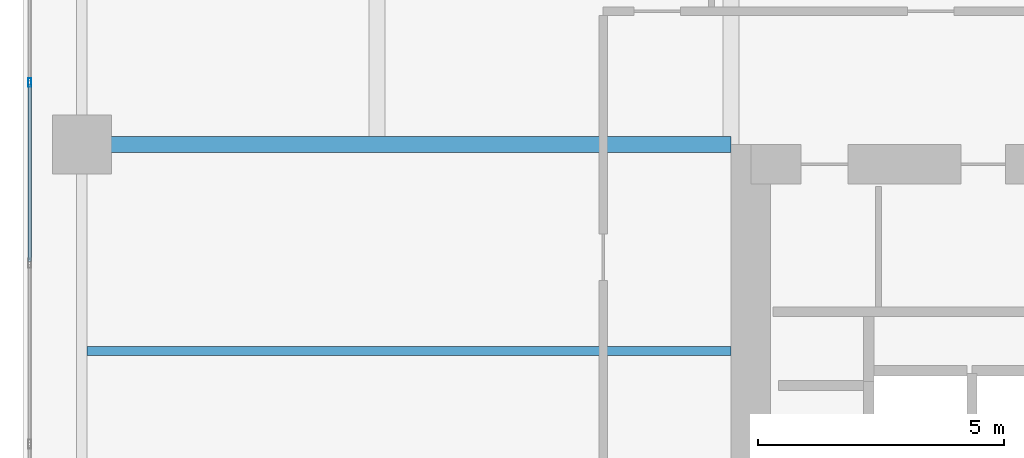
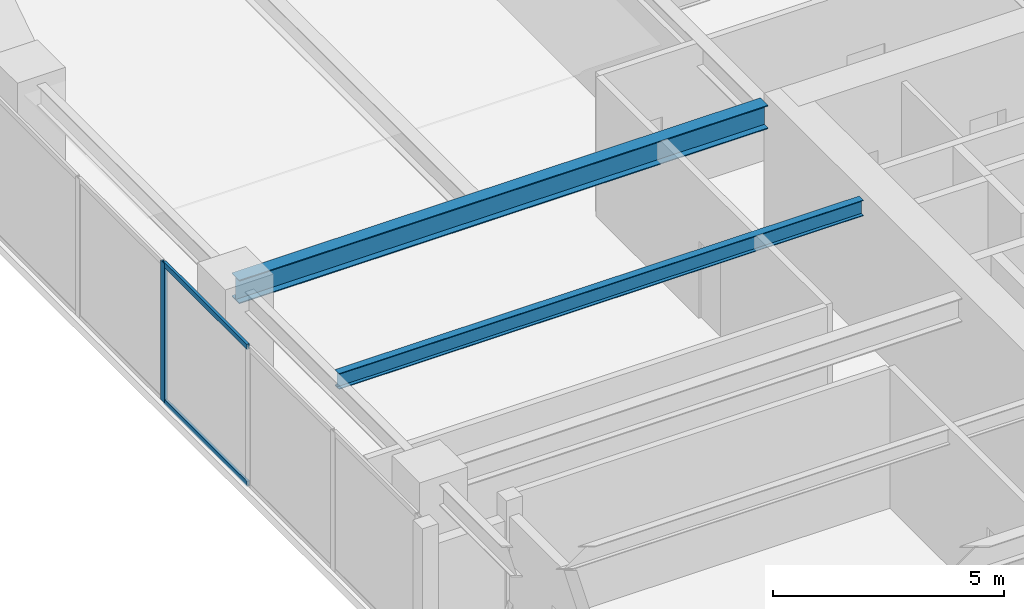
# One storey, part 6 of 30: 3 members, 2 beams, 1 element without a shape of its own.
"""IFC4 building model written with IfcOpenShell, lengths in metres."""

from ifc_helpers import new_model, si_unit, direction, frame, origin, origin_2d, place, context, subcontext, project, spatial, hollow_rectangle, i_section, extrude, material, layer, layer_set, material_profile, profile_set, type_object, element, aggregate, save


model = new_model("IFC4")

# Units and contexts
model_context = context("Model", 3, precision=1e-05, world=origin(), true_north=direction((0.0, 1.0)))
body_context = subcontext(model_context, "Body", "Model", "MODEL_VIEW")
ifc_project = project(units=[si_unit("LENGTHUNIT", "METRE"), si_unit("AREAUNIT", "SQUARE_METRE"), si_unit("VOLUMEUNIT", "CUBIC_METRE"), si_unit("PLANEANGLEUNIT", "RADIAN"), si_unit("MASSUNIT", "GRAM", prefix="KILO")], contexts=[model_context])

# Site, building, storey
site_placement = place(None, origin())
site = spatial("IfcSite", under=ifc_project, at=site_placement, CompositionType="ELEMENT")
building_placement = place(site_placement, origin())
building = spatial("IfcBuilding", under=site, at=building_placement, Name="Kiyonajd Concourse Tower", CompositionType="ELEMENT")
storey_placement = place(building_placement, frame((0.0, 0.0, 166.199951171875)))
storey = spatial("IfcBuildingStorey", under=building, at=storey_placement, Name="L42", CompositionType="ELEMENT", Elevation=166.199951171875)

# Beams
ifc_material_1 = material(Name="Steel ASTM A992 Grade 50", Category="steel")
ifc_material_profile_1 = material_profile(ifc_material_1, i_section(OverallWidth=0.180908203125, OverallDepth=0.4169921875, WebThickness=0.010986328125, FlangeThickness=0.018310546875, at=origin_2d()), Name="W410X85")
ifc_profile_set_1 = profile_set([ifc_material_profile_1], Name="Steel ASTM A992 Grade 50")
beam_type_1 = type_object("IfcBeamType", Name="BM-JST-410", PredefinedType="JOIST", material=ifc_profile_set_1)
beam_1_placement = place(storey_placement, frame((19.306884765625, 40.199951171875, 3.471435546875), z_axis=(1.0, 0.0, 0.0), x_axis=(0.0, 1.0, 0.0)))
element("IfcBeam", 1, at=beam_1_placement, inside=storey, type_object=beam_type_1, Name="L42 West Secondary Floor Joist", PredefinedType="JOIST", context=body_context, shape_type="SweptSolid", body=[
    extrude(i_section(OverallWidth=0.180908203125, OverallDepth=0.4169921875, WebThickness=0.010986328125, FlangeThickness=0.018310546875, at=origin_2d()), origin(), (0.0, 0.0, 1.0), 13.093017578125),
])
ifc_material_profile_2 = material_profile(ifc_material_1, i_section(OverallWidth=0.326904296875, OverallDepth=0.6220703125, WebThickness=0.015380859375, FlangeThickness=0.0244140625, at=origin_2d()), Name="W610X195")
ifc_profile_set_2 = profile_set([ifc_material_profile_2], Name="Steel ASTM A992 Grade 50")
beam_type_2 = type_object("IfcBeamType", Name="BM-TWR-610A", PredefinedType="BEAM", material=ifc_profile_set_2)
beam_2_placement = place(storey_placement, frame((19.199951171875, 44.39990234375, 3.369140625), z_axis=(1.0, 0.0, 0.0), x_axis=(0.0, 1.0, 0.0)))
element("IfcBeam", 2, at=beam_2_placement, inside=storey, type_object=beam_type_2, Name="L42 West Lease Girder", PredefinedType="BEAM", context=body_context, shape_type="SweptSolid", body=[
    extrude(i_section(OverallWidth=0.326904296875, OverallDepth=0.6220703125, WebThickness=0.015380859375, FlangeThickness=0.0244140625, at=origin_2d()), origin(), (0.0, 0.0, 1.0), 13.199951171875),
])

# Curtain wall, members
ifc_material_2 = material(Name="Thermally Broken Anodised Aluminium", Category="aluminium")
ifc_layer = layer(ifc_material_2, 0.179931640625)
ifc_layer_set = layer_set([ifc_layer], Name="Thermally Broken Anodised Aluminium")
curtain_wall_type = type_object("IfcCurtainWallType", Name="CW-SYS-03", PredefinedType="NOTDEFINED", material=ifc_layer_set)
curtain_wall_placement = place(storey_placement, origin())
curtain_wall = element("IfcCurtainWall", 3, at=curtain_wall_placement, inside=storey, type_object=curtain_wall_type, Name="L42 Unitised Curtain Wall CW3", PredefinedType="NOTDEFINED")
ifc_material_profile_3 = material_profile(ifc_material_2, hollow_rectangle(XDim=0.06494140625, YDim=0.179931640625, WallThickness=0.00390625, at=origin_2d()), Name="MULL-65x180")
ifc_profile_set_3 = profile_set([ifc_material_profile_3], Name="Thermally Broken Anodised Aluminium")
member_type_1 = type_object("IfcMemberType", Name="MB-CW-MULL1", PredefinedType="MULLION", material=ifc_profile_set_3)
member_1_placement = place(storey_placement, frame((18.139892578125, 45.660888671875, 0.0), z_axis=(0.0, 0.0, 1.0), x_axis=(-1.0, 0.0, 0.0)))
member_1 = element("IfcMember", 4, at=member_1_placement, type_object=member_type_1, Name="CW3 mullion 4", PredefinedType="MULLION", context=body_context, shape_type="SweptSolid", body=[
    extrude(hollow_rectangle(XDim=0.06494140625, YDim=0.179931640625, WallThickness=0.00390625, at=origin_2d()), origin(), (0.0, 0.0, 1.0), 3.679931640625),
])
ifc_material_profile_4 = material_profile(ifc_material_2, hollow_rectangle(XDim=0.06494140625, YDim=0.139892578125, WallThickness=0.00390625, at=origin_2d()), Name="TRAN-65x140")
ifc_profile_set_4 = profile_set([ifc_material_profile_4], Name="Thermally Broken Anodised Aluminium")
member_type_2 = type_object("IfcMemberType", Name="MB-CW-TRAN1", PredefinedType="USERDEFINED", material=ifc_profile_set_4)
member_2_placement = place(storey_placement, frame((18.139892578125, 42.016357421875, 0.032470703125), z_axis=(0.0, 1.0, 0.0), x_axis=(-1.0, 0.0, 0.0)))
member_2 = element("IfcMember", 5, at=member_2_placement, type_object=member_type_2, Name="CW3 transom 3.1", ObjectType="TRANSOM", PredefinedType="USERDEFINED", context=body_context, shape_type="SweptSolid", body=[
    extrude(hollow_rectangle(XDim=0.06494140625, YDim=0.139892578125, WallThickness=0.00390625, at=origin_2d()), origin(), (0.0, 0.0, 1.0), 3.612060546875),
])
member_3_placement = place(storey_placement, frame((18.139892578125, 42.016357421875, 3.6474609375), z_axis=(0.0, 1.0, 0.0), x_axis=(-1.0, 0.0, 0.0)))
member_3 = element("IfcMember", 6, at=member_3_placement, type_object=member_type_2, Name="CW3 transom 3.2", ObjectType="TRANSOM", PredefinedType="USERDEFINED", context=body_context, shape_type="SweptSolid", body=[
    extrude(hollow_rectangle(XDim=0.06494140625, YDim=0.139892578125, WallThickness=0.00390625, at=origin_2d()), origin(), (0.0, 0.0, 1.0), 3.612060546875),
])
aggregate(curtain_wall, [member_1, member_2, member_3])

save(model, "model.ifc")
